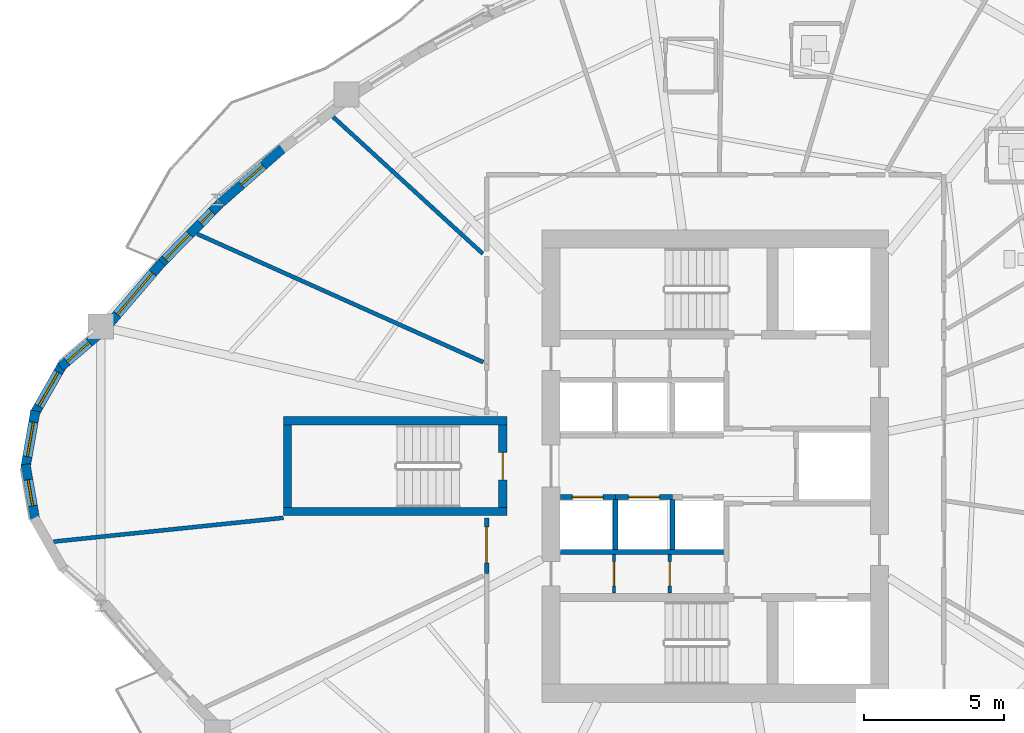
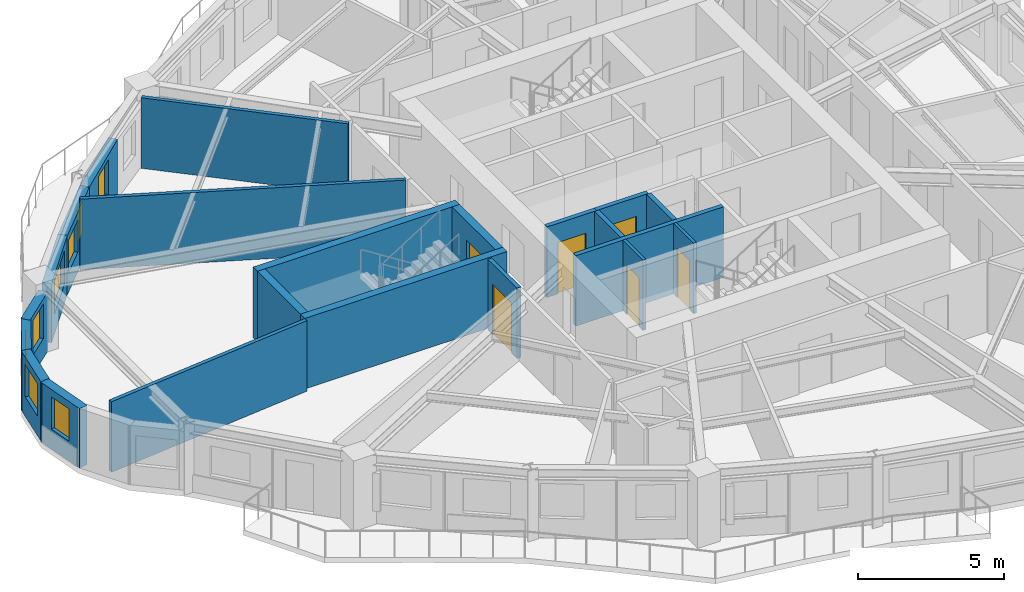
# One storey, part 4 of 12: 22 walls, 8 windows, 6 doors, 14 openings.
"""IFC4 building model written with IfcOpenShell, lengths in metres."""

from ifc_helpers import new_model, si_unit, direction, frame, frame_2d, origin, place, context, subcontext, project, spatial, rectangle, extrude, source, transform, mapped, material, layer, layer_set, type_object, element, fill, save


model = new_model("IFC4")

# Units and contexts
model_context = context("Model", 3, precision=1e-05, world=origin(), true_north=direction((0.0, 1.0)))
body_context = subcontext(model_context, "Body", "Model", "MODEL_VIEW")
ifc_project = project(units=[si_unit("LENGTHUNIT", "METRE"), si_unit("AREAUNIT", "SQUARE_METRE"), si_unit("VOLUMEUNIT", "CUBIC_METRE"), si_unit("PLANEANGLEUNIT", "RADIAN"), si_unit("MASSUNIT", "GRAM", prefix="KILO")], contexts=[model_context])

# Site, building, storey
site_placement = place(None, origin())
site = spatial("IfcSite", under=ifc_project, at=site_placement, CompositionType="ELEMENT")
building_placement = place(site_placement, origin())
building = spatial("IfcBuilding", under=site, at=building_placement, Name="Qafzar Sky-Pleat Residences", CompositionType="ELEMENT")
storey_placement = place(building_placement, frame((0.0, 0.0, 92.800048828125)))
storey = spatial("IfcBuildingStorey", under=building, at=storey_placement, Name="L27", CompositionType="ELEMENT", Elevation=92.800048828125)

# Wall, opening, door
ifc_material_1 = material(Name="Acoustic gypsum plasterboard partition", Category="gypsum")
ifc_layer_1 = layer(ifc_material_1, 0.159912109375)
ifc_layer_set_1 = layer_set([ifc_layer_1], Name="Acoustic gypsum plasterboard partition")
wall_type_1 = type_object("IfcWallType", Name="PART-COR-160", PredefinedType="PARTITIONING", material=ifc_layer_set_1)
wall_1_placement = place(storey_placement, frame((22.169921875, 22.1640625, 0.0), z_axis=(0.0, 0.0, 1.0), x_axis=(0.0, 1.0, 0.0)))
wall_1 = element("IfcWall", 1, at=wall_1_placement, inside=storey, type_object=wall_type_1, Name="L27 Partition Wall PART-L27-PW-014", PredefinedType="PARTITIONING", context=body_context, shape_type="SweptSolid", body=[
    extrude(rectangle(XDim=1.98583984375, YDim=0.159912109375, at=frame_2d((0.992919921875, 0.0))), origin(), (0.0, 0.0, 1.0), 2.949951171875),
])
opening_1_placement = place(wall_1_placement, frame((0.364990234375, 0.0, 0.0)))
opening_1 = element("IfcOpeningElement", 2, at=opening_1_placement, cuts=wall_1, Name="Opening ID-05", PredefinedType="OPENING", context=body_context, shape_type="SweptSolid", body=[
    extrude(rectangle(XDim=1.300048828125, YDim=2.10009765625, at=frame_2d((0.64990234375, 1.050048828125))), frame((0.0, 0.08984375, 0.0), z_axis=(0.0, -1.0, 0.0), x_axis=(1.0, 0.0, 0.0)), (0.0, 0.0, 1.0), 0.179931640625),
])
ifc_material_2 = material(Name="Timber-faced fire door", Category="wood")
door_type_1 = type_object("IfcDoorType", Name="DR-LNG-1300", OperationType="DOUBLE_DOOR_SINGLE_SWING", PredefinedType="DOOR", material=ifc_material_2)
shared_shape_1 = source(origin(), body_context, "Body", "SweptSolid", [
    extrude(rectangle(XDim=1.300048828125, YDim=2.10009765625, at=frame_2d((0.64990234375, 1.050048828125))), frame((0.0, 0.02490234375, 0.0), z_axis=(0.0, -1.0, 0.0), x_axis=(1.0, 0.0, 0.0)), (0.0, 0.0, 1.0), 0.050048828125),
])
door_1_placement = place(opening_1_placement, origin())
door_1 = element("IfcDoor", 3, at=door_1_placement, inside=storey, type_object=door_type_1, Name="L27 Research Conference Room Door", OperationType="DOUBLE_DOOR_SINGLE_SWING", OverallHeight=2.10009765625, OverallWidth=1.300048828125, PredefinedType="DOOR", context=body_context, shape_type="MappedRepresentation", body=[
    mapped(shared_shape_1, transform((0.0, 0.0, 0.0), x_axis=(1.0, 0.0, 0.0), y_axis=(0.0, 1.0, 0.0), z_axis=(0.0, 0.0, 1.0), scale=1.0)),
])
fill(opening_1, door_1)

# Wall
ifc_material_3 = material(Name="Concrete blockwork partition", Category="masonry")
ifc_layer_2 = layer(ifc_material_3, 0.179931640625)
ifc_layer_set_2 = layer_set([ifc_layer_2], Name="Concrete blockwork partition")
wall_type_2 = type_object("IfcWallType", Name="PART-SHAFT-180", PredefinedType="PARTITIONING", material=ifc_layer_set_2)
wall_2_placement = place(storey_placement, frame((24.81005859375, 22.919921875, 0.0), z_axis=(0.0, 0.0, 1.0), x_axis=(1.0, 0.0, 0.0)))
element("IfcWall", 4, at=wall_2_placement, inside=storey, type_object=wall_type_2, Name="L27 Partition Wall PART-L27-P13-S", PredefinedType="PARTITIONING", context=body_context, shape_type="SweptSolid", body=[
    extrude(rectangle(XDim=5.83984375, YDim=0.179931640625, at=frame_2d((2.919921875, 0.0))), origin(), (0.0, 0.0, 1.0), 2.949951171875),
])

# Wall, opening, door
wall_3_placement = place(storey_placement, frame((24.81005859375, 24.89990234375, 0.0), z_axis=(0.0, 0.0, 1.0), x_axis=(1.0, 0.0, 0.0)))
wall_3 = element("IfcWall", 5, at=wall_3_placement, inside=storey, type_object=wall_type_2, Name="L27 Partition Wall PART-L27-P1-N", PredefinedType="PARTITIONING", context=body_context, shape_type="SweptSolid", body=[
    extrude(rectangle(XDim=1.96484375, YDim=0.179931640625, at=frame_2d((0.982421875, 0.0))), origin(), (0.0, 0.0, 1.0), 2.949951171875),
])
opening_2_placement = place(wall_3_placement, frame((0.4326171875, 0.0, 0.0)))
opening_2 = element("IfcOpeningElement", 6, at=opening_2_placement, cuts=wall_3, Name="Opening LD-01", PredefinedType="OPENING", context=body_context, shape_type="SweptSolid", body=[
    extrude(rectangle(XDim=1.10009765625, YDim=2.14990234375, at=frame_2d((0.550048828125, 1.074951171875))), frame((0.0, 0.10009765625, 0.0), z_axis=(0.0, -1.0, 0.0), x_axis=(1.0, 0.0, 0.0)), (0.0, 0.0, 1.0), 0.199951171875),
])
ifc_material_4 = material(Name="Stainless steel sliding landing door", Category="steel")
door_type_2 = type_object("IfcDoorType", Name="DR-LIFT-P", OperationType="DOUBLE_DOOR_SLIDING", PredefinedType="DOOR", material=ifc_material_4)
shared_shape_2 = source(origin(), body_context, "Body", "SweptSolid", [
    extrude(rectangle(XDim=1.10009765625, YDim=2.14990234375, at=frame_2d((0.550048828125, 1.074951171875))), frame((0.0, 0.02490234375, 0.0), z_axis=(0.0, -1.0, 0.0), x_axis=(1.0, 0.0, 0.0)), (0.0, 0.0, 1.0), 0.050048828125),
])
door_2_placement = place(opening_2_placement, origin())
door_2 = element("IfcDoor", 7, at=door_2_placement, inside=storey, type_object=door_type_2, Name="L27 Passenger Lift P1 Landing Door", OperationType="DOUBLE_DOOR_SLIDING", OverallHeight=2.14990234375, OverallWidth=1.10009765625, PredefinedType="DOOR", context=body_context, shape_type="MappedRepresentation", body=[
    mapped(shared_shape_2, transform((0.0, 0.0, 0.0), x_axis=(1.0, 0.0, 0.0), y_axis=(0.0, 1.0, 0.0), z_axis=(0.0, 0.0, 1.0), scale=1.0)),
])
fill(opening_2, door_2)

wall_4_placement = place(storey_placement, frame((26.77490234375, 24.89990234375, 0.0), z_axis=(0.0, 0.0, 1.0), x_axis=(1.0, 0.0, 0.0)))
wall_4 = element("IfcWall", 8, at=wall_4_placement, inside=storey, type_object=wall_type_2, Name="L27 Partition Wall PART-L27-P2-N", PredefinedType="PARTITIONING", context=body_context, shape_type="SweptSolid", body=[
    extrude(rectangle(XDim=2.050048828125, YDim=0.179931640625, at=frame_2d((1.02490234375, 0.0))), origin(), (0.0, 0.0, 1.0), 2.949951171875),
])
opening_3_placement = place(wall_4_placement, frame((0.47509765625, 0.0, 0.0)))
opening_3 = element("IfcOpeningElement", 9, at=opening_3_placement, cuts=wall_4, Name="Opening LD-01", PredefinedType="OPENING", context=body_context, shape_type="SweptSolid", body=[
    extrude(rectangle(XDim=1.10009765625, YDim=2.14990234375, at=frame_2d((0.550048828125, 1.074951171875))), frame((0.0, 0.10009765625, 0.0), z_axis=(0.0, -1.0, 0.0), x_axis=(1.0, 0.0, 0.0)), (0.0, 0.0, 1.0), 0.199951171875),
])
door_3_placement = place(opening_3_placement, origin())
door_3 = element("IfcDoor", 10, at=door_3_placement, inside=storey, type_object=door_type_2, Name="L27 Passenger Lift P2 Landing Door", OperationType="DOUBLE_DOOR_SLIDING", OverallHeight=2.14990234375, OverallWidth=1.10009765625, PredefinedType="DOOR", context=body_context, shape_type="MappedRepresentation", body=[
    mapped(shared_shape_2, transform((0.0, 0.0, 0.0), x_axis=(1.0, 0.0, 0.0), y_axis=(0.0, 1.0, 0.0), z_axis=(0.0, 0.0, 1.0), scale=1.0)),
])
fill(opening_3, door_3)

# Walls
for number, where, z_axis, x_axis, name in (
    (11, (26.77490234375, 23.02001953125, 0.0), (0.0, 0.0, 1.0), (0.0, 1.0, 0.0), "L27 Partition Wall PART-L27-P13-DIV-1"),
    (12, (28.824951171875, 23.02001953125, 0.0), (0.0, 0.0, 1.0), (0.0, 1.0, 0.0), "L27 Partition Wall PART-L27-P13-DIV-2"),
):
    element("IfcWall", number, at=place(storey_placement, frame(where, z_axis=z_axis, x_axis=x_axis)), inside=storey, type_object=wall_type_2, Name=name, PredefinedType="PARTITIONING", context=body_context, shape_type="SweptSolid", body=[
        extrude(rectangle(XDim=1.780029296875, YDim=0.179931640625, at=frame_2d((0.89013671875, 0.0))), origin(), (0.0, 0.0, 1.0), 2.949951171875),
    ])

# Wall, opening, door
ifc_material_5 = material(Name="Gypsum plasterboard partition", Category="gypsum")
ifc_layer_3 = layer(ifc_material_5, 0.114990234375)
ifc_layer_set_3 = layer_set([ifc_layer_3], Name="Gypsum plasterboard partition")
wall_type_3 = type_object("IfcWallType", Name="PART-SVC-115", PredefinedType="PARTITIONING", material=ifc_layer_set_3)
wall_5_placement = place(storey_placement, frame((26.72509765625, 21.4599609375, 0.0), z_axis=(0.0, 0.0, 1.0), x_axis=(0.0, 1.0, 0.0)))
wall_5 = element("IfcWall", 13, at=wall_5_placement, inside=storey, type_object=wall_type_3, Name="L27 Partition Wall PART-L27-KC-SW-1", PredefinedType="PARTITIONING", context=body_context, shape_type="SweptSolid", body=[
    extrude(rectangle(XDim=1.380126953125, YDim=0.114990234375, at=frame_2d((0.68994140625, 0.0))), origin(), (0.0, 0.0, 1.0), 2.949951171875),
])
opening_4_placement = place(wall_5_placement, frame((0.260009765625, 0.0, 0.0)))
opening_4 = element("IfcOpeningElement", 14, at=opening_4_placement, cuts=wall_5, Name="Opening ID-09", PredefinedType="OPENING", context=body_context, shape_type="SweptSolid", body=[
    extrude(rectangle(XDim=0.860107421875, YDim=2.050048828125, at=frame_2d((0.43017578125, 1.02490234375))), frame((0.0, 0.0673828125, 0.0), z_axis=(0.0, -1.0, 0.0), x_axis=(1.0, 0.0, 0.0)), (0.0, 0.0, 1.0), 0.135009765625),
])
door_type_3 = type_object("IfcDoorType", Name="DR-SVC-860", OperationType="NOTDEFINED", PredefinedType="DOOR", material=ifc_material_2)
shared_shape_3 = source(origin(), body_context, "Body", "SweptSolid", [
    extrude(rectangle(XDim=0.860107421875, YDim=2.050048828125, at=frame_2d((0.43017578125, 1.02490234375))), frame((0.0, 0.02490234375, 0.0), z_axis=(0.0, -1.0, 0.0), x_axis=(1.0, 0.0, 0.0)), (0.0, 0.0, 1.0), 0.050048828125),
])
door_4_placement = place(opening_4_placement, origin())
door_4 = element("IfcDoor", 15, at=door_4_placement, inside=storey, type_object=door_type_3, Name="L27 Core South Cupboard 1 Door", OperationType="SINGLE_SWING_RIGHT", OverallHeight=2.050048828125, OverallWidth=0.860107421875, PredefinedType="DOOR", context=body_context, shape_type="MappedRepresentation", body=[
    mapped(shared_shape_3, transform((0.0, 0.0, 0.0), x_axis=(1.0, 0.0, 0.0), y_axis=(0.0, 1.0, 0.0), z_axis=(0.0, 0.0, 1.0), scale=1.0)),
])
fill(opening_4, door_4)

wall_6_placement = place(storey_placement, frame((28.72509765625, 21.4599609375, 0.0), z_axis=(0.0, 0.0, 1.0), x_axis=(0.0, 1.0, 0.0)))
wall_6 = element("IfcWall", 16, at=wall_6_placement, inside=storey, type_object=wall_type_3, Name="L27 Partition Wall PART-L27-KC-SW-2", PredefinedType="PARTITIONING", context=body_context, shape_type="SweptSolid", body=[
    extrude(rectangle(XDim=1.380126953125, YDim=0.114990234375, at=frame_2d((0.68994140625, 0.0))), origin(), (0.0, 0.0, 1.0), 2.949951171875),
])
opening_5_placement = place(wall_6_placement, frame((0.260009765625, 0.0, 0.0)))
opening_5 = element("IfcOpeningElement", 17, at=opening_5_placement, cuts=wall_6, Name="Opening ID-09", PredefinedType="OPENING", context=body_context, shape_type="SweptSolid", body=[
    extrude(rectangle(XDim=0.860107421875, YDim=2.050048828125, at=frame_2d((0.43017578125, 1.02490234375))), frame((0.0, 0.0673828125, 0.0), z_axis=(0.0, -1.0, 0.0), x_axis=(1.0, 0.0, 0.0)), (0.0, 0.0, 1.0), 0.135009765625),
])
door_5_placement = place(opening_5_placement, origin())
door_5 = element("IfcDoor", 18, at=door_5_placement, inside=storey, type_object=door_type_3, Name="L27 Core South Cupboard 2 Door", OperationType="SINGLE_SWING_RIGHT", OverallHeight=2.050048828125, OverallWidth=0.860107421875, PredefinedType="DOOR", context=body_context, shape_type="MappedRepresentation", body=[
    mapped(shared_shape_3, transform((0.0, 0.0, 0.0), x_axis=(1.0, 0.0, 0.0), y_axis=(0.0, 1.0, 0.0), z_axis=(0.0, 0.0, 1.0), scale=1.0)),
])
fill(opening_5, door_5)

# Walls
ifc_layer_4 = layer(ifc_material_1, 0.14501953125)
ifc_layer_set_4 = layer_set([ifc_layer_4], Name="Acoustic gypsum plasterboard partition")
wall_type_4 = type_object("IfcWallType", Name="PART-UNIT-145", PredefinedType="PARTITIONING", material=ifc_layer_set_4)
wall_7_placement = place(storey_placement, frame((11.816650390625, 34.306640625, 0.0), z_axis=(0.0, 0.0, 1.0), x_axis=(0.912528092457, -0.409014034572, 0.0)))
element("IfcWall", 19, at=wall_7_placement, inside=storey, type_object=wall_type_4, Name="L27 Partition Wall PART-L27-PW-022", PredefinedType="PARTITIONING", context=body_context, shape_type="SweptSolid", body=[
    extrude(rectangle(XDim=11.217529296875, YDim=0.14501953125, at=frame_2d((5.60888671875, 0.0))), origin(), (0.0, 0.0, 1.0), 2.949951171875),
])
wall_8_placement = place(storey_placement, frame((6.677978515625, 23.298583984375, 0.0), z_axis=(0.0, 0.0, 1.0), x_axis=(0.994682199009, 0.102991858774, 0.0)))
element("IfcWall", 20, at=wall_8_placement, inside=storey, type_object=wall_type_4, Name="L27 Partition Wall PART-L27-PW-028", PredefinedType="PARTITIONING", context=body_context, shape_type="SweptSolid", body=[
    extrude(rectangle(XDim=8.265869140625, YDim=0.14501953125, at=frame_2d((4.1328125, 0.0))), origin(), (0.0, 0.0, 1.0), 2.949951171875),
])
wall_9_placement = place(storey_placement, frame((16.68310546875, 38.49072265625, 0.0), z_axis=(0.0, 0.0, 1.0), x_axis=(0.738145700324, -0.674641330704, 0.0)))
element("IfcWall", 21, at=wall_9_placement, inside=storey, type_object=wall_type_4, Name="L27 Partition Wall PART-L27-PW-029", PredefinedType="PARTITIONING", context=body_context, shape_type="SweptSolid", body=[
    extrude(rectangle(XDim=7.250732421875, YDim=0.14501953125, at=frame_2d((3.62548828125, 0.0))), origin(), (0.0, 0.0, 1.0), 2.949951171875),
])

# Wall, opening, window
ifc_material_6 = material(Name="Precast concrete C40/50 with honed Riyadh limestone", Category="concrete")
ifc_layer_5 = layer(ifc_material_6, 0.340087890625)
ifc_layer_set_5 = layer_set([ifc_layer_5], Name="Precast concrete C40/50 with honed Riyadh limestone")
wall_type_5 = type_object("IfcWallType", Name="WALL-EXT-340", PredefinedType="SOLIDWALL", material=ifc_layer_set_5)
wall_10_placement = place(storey_placement, frame((8.30029296875, 30.7177734375, 0.0), z_axis=(0.0, 0.0, 1.0), x_axis=(-0.761191299493, -0.648527413126, 0.0)))
wall_10 = element("IfcWall", 22, at=wall_10_placement, inside=storey, type_object=wall_type_5, Name="L27 Limestone Facade Wall 1", PredefinedType="SOLIDWALL", context=body_context, shape_type="SweptSolid", body=[
    extrude(rectangle(XDim=1.80517578125, YDim=0.340087890625, at=frame_2d((0.902587890625, 0.0))), origin(), (0.0, 0.0, 1.0), 2.47998046875),
])
opening_6_placement = place(wall_10_placement, frame((0.452392578125, 0.0, 0.820068359375)))
opening_6 = element("IfcOpeningElement", 23, at=opening_6_placement, cuts=wall_10, Name="Opening WN-06", PredefinedType="OPENING", context=body_context, shape_type="SweptSolid", body=[
    extrude(rectangle(XDim=1.050048828125, YDim=1.449951171875, at=frame_2d((0.52490234375, 0.72509765625))), frame((0.0, 0.18017578125, 0.0), z_axis=(0.0, -1.0, 0.0), x_axis=(1.0, 0.0, 0.0)), (0.0, 0.0, 1.0), 0.360107421875),
])
ifc_material_7 = material(Name="Solar-control low-E glass in bronze aluminium frame", Category="glass")
window_type_1 = type_object("IfcWindowType", Name="WIN-06", PartitioningType="SINGLE_PANEL", PredefinedType="WINDOW", material=ifc_material_7)
shared_shape_4 = source(origin(), body_context, "Body", "SweptSolid", [
    extrude(rectangle(XDim=1.050048828125, YDim=1.449951171875, at=frame_2d((0.52490234375, 0.72509765625))), frame((0.0, 0.030029296875, 0.0), z_axis=(0.0, -1.0, 0.0), x_axis=(1.0, 0.0, 0.0)), (0.0, 0.0, 1.0), 0.06005859375),
])
window_1_placement = place(opening_6_placement, origin())
window_1 = element("IfcWindow", 24, at=window_1_placement, inside=storey, type_object=window_type_1, Name="L27 Punched Facade Window 01", OverallHeight=1.449951171875, OverallWidth=1.050048828125, PartitioningType="SINGLE_PANEL", PredefinedType="WINDOW", context=body_context, shape_type="MappedRepresentation", body=[
    mapped(shared_shape_4, transform((0.0, 0.0, 0.0), x_axis=(1.0, 0.0, 0.0), y_axis=(0.0, 1.0, 0.0), z_axis=(0.0, 0.0, 1.0), scale=1.0)),
])
fill(opening_6, window_1)

wall_11_placement = place(storey_placement, frame((7.011474609375, 29.64990234375, 0.0), z_axis=(0.0, 0.0, 1.0), x_axis=(-0.496037473582, -0.868301114132, 0.0)))
wall_11 = element("IfcWall", 25, at=wall_11_placement, inside=storey, type_object=wall_type_5, Name="L27 Limestone Facade Wall 2", PredefinedType="SOLIDWALL", context=body_context, shape_type="SweptSolid", body=[
    extrude(rectangle(XDim=2.072998046875, YDim=0.340087890625, at=frame_2d((1.03662109375, 0.0))), origin(), (0.0, 0.0, 1.0), 2.47998046875),
])
opening_7_placement = place(wall_11_placement, frame((0.33642578125, 0.0, 0.820068359375)))
opening_7 = element("IfcOpeningElement", 26, at=opening_7_placement, cuts=wall_11, Name="Opening WN-10", PredefinedType="OPENING", context=body_context, shape_type="SweptSolid", body=[
    extrude(rectangle(XDim=1.39990234375, YDim=1.35009765625, at=frame_2d((0.699951171875, 0.675048828125))), frame((0.0, 0.18017578125, 0.0), z_axis=(0.0, -1.0, 0.0), x_axis=(1.0, 0.0, 0.0)), (0.0, 0.0, 1.0), 0.360107421875),
])
window_type_2 = type_object("IfcWindowType", Name="WIN-10", PartitioningType="SINGLE_PANEL", PredefinedType="WINDOW", material=ifc_material_7)
shared_shape_5 = source(origin(), body_context, "Body", "SweptSolid", [
    extrude(rectangle(XDim=1.39990234375, YDim=1.35009765625, at=frame_2d((0.699951171875, 0.675048828125))), frame((0.0, 0.030029296875, 0.0), z_axis=(0.0, -1.0, 0.0), x_axis=(1.0, 0.0, 0.0)), (0.0, 0.0, 1.0), 0.06005859375),
])
window_2_placement = place(opening_7_placement, origin())
window_2 = element("IfcWindow", 27, at=window_2_placement, inside=storey, type_object=window_type_2, Name="L27 Punched Facade Window 02", OverallHeight=1.35009765625, OverallWidth=1.39990234375, PartitioningType="SINGLE_PANEL", PredefinedType="WINDOW", context=body_context, shape_type="MappedRepresentation", body=[
    mapped(shared_shape_5, transform((0.0, 0.0, 0.0), x_axis=(1.0, 0.0, 0.0), y_axis=(0.0, 1.0, 0.0), z_axis=(0.0, 0.0, 1.0), scale=1.0)),
])
fill(opening_7, window_2)

wall_12_placement = place(storey_placement, frame((6.0283203125, 27.975341796875, 0.0), z_axis=(0.0, 0.0, 1.0), x_axis=(-0.172186061474, -0.985064444711, 0.0)))
wall_12 = element("IfcWall", 28, at=wall_12_placement, inside=storey, type_object=wall_type_5, Name="L27 Limestone Facade Wall 3", PredefinedType="SOLIDWALL", context=body_context, shape_type="SweptSolid", body=[
    extrude(rectangle(XDim=2.072998046875, YDim=0.340087890625, at=frame_2d((1.03662109375, 0.0))), origin(), (0.0, 0.0, 1.0), 2.47998046875),
])
opening_8_placement = place(wall_12_placement, frame((0.41162109375, 0.0, 0.820068359375)))
opening_8 = element("IfcOpeningElement", 29, at=opening_8_placement, cuts=wall_12, Name="Opening WN-11", PredefinedType="OPENING", context=body_context, shape_type="SweptSolid", body=[
    extrude(rectangle(XDim=1.25, YDim=1.35009765625, at=frame_2d((0.625, 0.675048828125))), frame((0.0, 0.18017578125, 0.0), z_axis=(0.0, -1.0, 0.0), x_axis=(1.0, 0.0, 0.0)), (0.0, 0.0, 1.0), 0.360107421875),
])
window_type_3 = type_object("IfcWindowType", Name="WIN-11", PartitioningType="SINGLE_PANEL", PredefinedType="WINDOW", material=ifc_material_7)
shared_shape_6 = source(origin(), body_context, "Body", "SweptSolid", [
    extrude(rectangle(XDim=1.25, YDim=1.35009765625, at=frame_2d((0.625, 0.675048828125))), frame((0.0, 0.030029296875, 0.0), z_axis=(0.0, -1.0, 0.0), x_axis=(1.0, 0.0, 0.0)), (0.0, 0.0, 1.0), 0.06005859375),
])
window_3_placement = place(opening_8_placement, origin())
window_3 = element("IfcWindow", 30, at=window_3_placement, inside=storey, type_object=window_type_3, Name="L27 Punched Facade Window 03", OverallHeight=1.35009765625, OverallWidth=1.25, PartitioningType="SINGLE_PANEL", PredefinedType="WINDOW", context=body_context, shape_type="MappedRepresentation", body=[
    mapped(shared_shape_6, transform((0.0, 0.0, 0.0), x_axis=(1.0, 0.0, 0.0), y_axis=(0.0, 1.0, 0.0), z_axis=(0.0, 0.0, 1.0), scale=1.0)),
])
fill(opening_8, window_3)

wall_13_placement = place(storey_placement, frame((5.67138671875, 26.066650390625, 0.0), z_axis=(0.0, 0.0, 1.0), x_axis=(0.172186061474, -0.985064444711, 0.0)))
wall_13 = element("IfcWall", 31, at=wall_13_placement, inside=storey, type_object=wall_type_5, Name="L27 Limestone Facade Wall 4", PredefinedType="SOLIDWALL", context=body_context, shape_type="SweptSolid", body=[
    extrude(rectangle(XDim=2.072998046875, YDim=0.340087890625, at=frame_2d((1.03662109375, 0.0))), origin(), (0.0, 0.0, 1.0), 2.47998046875),
])
opening_9_placement = place(wall_13_placement, frame((0.5615234375, 0.0, 0.820068359375)))
opening_9 = element("IfcOpeningElement", 32, at=opening_9_placement, cuts=wall_13, Name="Opening WN-12", PredefinedType="OPENING", context=body_context, shape_type="SweptSolid", body=[
    extrude(rectangle(XDim=0.949951171875, YDim=1.35009765625, at=frame_2d((0.47509765625, 0.675048828125))), frame((0.0, 0.18017578125, 0.0), z_axis=(0.0, -1.0, 0.0), x_axis=(1.0, 0.0, 0.0)), (0.0, 0.0, 1.0), 0.360107421875),
])
window_type_4 = type_object("IfcWindowType", Name="WIN-12", PartitioningType="SINGLE_PANEL", PredefinedType="WINDOW", material=ifc_material_7)
shared_shape_7 = source(origin(), body_context, "Body", "SweptSolid", [
    extrude(rectangle(XDim=0.949951171875, YDim=1.35009765625, at=frame_2d((0.47509765625, 0.675048828125))), frame((0.0, 0.030029296875, 0.0), z_axis=(0.0, -1.0, 0.0), x_axis=(1.0, 0.0, 0.0)), (0.0, 0.0, 1.0), 0.06005859375),
])
window_4_placement = place(opening_9_placement, origin())
window_4 = element("IfcWindow", 33, at=window_4_placement, inside=storey, type_object=window_type_4, Name="L27 Punched Facade Window 04", OverallHeight=1.35009765625, OverallWidth=0.949951171875, PartitioningType="SINGLE_PANEL", PredefinedType="WINDOW", context=body_context, shape_type="MappedRepresentation", body=[
    mapped(shared_shape_7, transform((0.0, 0.0, 0.0), x_axis=(1.0, 0.0, 0.0), y_axis=(0.0, 1.0, 0.0), z_axis=(0.0, 0.0, 1.0), scale=1.0)),
])
fill(opening_9, window_4)

wall_14_placement = place(storey_placement, frame((14.92919921875, 37.41162109375, 0.0), z_axis=(0.0, 0.0, 1.0), x_axis=(-0.751438268977, -0.659803400959, 0.0)))
wall_14 = element("IfcWall", 34, at=wall_14_placement, inside=storey, type_object=wall_type_5, Name="L27 Limestone Facade Wall 46", PredefinedType="SOLIDWALL", context=body_context, shape_type="SweptSolid", body=[
    extrude(rectangle(XDim=3.0185546875, YDim=0.340087890625, at=frame_2d((1.50927734375, 0.0))), origin(), (0.0, 0.0, 1.0), 2.47998046875),
])
opening_10_placement = place(wall_14_placement, frame((0.994384765625, 0.0, 0.820068359375)))
opening_10 = element("IfcOpeningElement", 35, at=opening_10_placement, cuts=wall_14, Name="Opening WN-06", PredefinedType="OPENING", context=body_context, shape_type="SweptSolid", body=[
    extrude(rectangle(XDim=1.050048828125, YDim=1.449951171875, at=frame_2d((0.52490234375, 0.72509765625))), frame((0.0, 0.18017578125, 0.0), z_axis=(0.0, -1.0, 0.0), x_axis=(1.0, 0.0, 0.0)), (0.0, 0.0, 1.0), 0.360107421875),
])
window_5_placement = place(opening_10_placement, origin())
window_5 = element("IfcWindow", 36, at=window_5_placement, inside=storey, type_object=window_type_1, Name="L27 Punched Facade Window 46", OverallHeight=1.449951171875, OverallWidth=1.050048828125, PartitioningType="SINGLE_PANEL", PredefinedType="WINDOW", context=body_context, shape_type="MappedRepresentation", body=[
    mapped(shared_shape_4, transform((0.0, 0.0, 0.0), x_axis=(1.0, 0.0, 0.0), y_axis=(0.0, 1.0, 0.0), z_axis=(0.0, 0.0, 1.0), scale=1.0)),
])
fill(opening_10, window_5)

# Wall, openings, windows
wall_15_placement = place(storey_placement, frame((12.640625, 35.40087890625, 0.0), z_axis=(0.0, 0.0, 1.0), x_axis=(-0.701955968499, -0.712220343917, 0.0)))
wall_15 = element("IfcWall", 37, at=wall_15_placement, inside=storey, type_object=wall_type_5, Name="L27 Limestone Facade Wall 47", PredefinedType="SOLIDWALL", context=body_context, shape_type="SweptSolid", body=[
    extrude(rectangle(XDim=3.068359375, YDim=0.340087890625, at=frame_2d((1.5341796875, 0.0))), origin(), (0.0, 0.0, 1.0), 2.47998046875),
])
opening_11_placement = place(wall_15_placement, frame((0.422607421875, 0.0, 0.820068359375)))
opening_11 = element("IfcOpeningElement", 38, at=opening_11_placement, cuts=wall_15, Name="Opening WN-17", PredefinedType="OPENING", context=body_context, shape_type="SweptSolid", body=[
    extrude(rectangle(XDim=0.580078125, YDim=1.35009765625, at=frame_2d((0.2900390625, 0.675048828125))), frame((0.0, 0.18017578125, 0.0), z_axis=(0.0, -1.0, 0.0), x_axis=(1.0, 0.0, 0.0)), (0.0, 0.0, 1.0), 0.360107421875),
])
opening_12_placement = place(wall_15_placement, frame((1.552001953125, 0.0, 0.820068359375)))
opening_12 = element("IfcOpeningElement", 39, at=opening_12_placement, cuts=wall_15, Name="Opening WN-11", PredefinedType="OPENING", context=body_context, shape_type="SweptSolid", body=[
    extrude(rectangle(XDim=1.25, YDim=1.35009765625, at=frame_2d((0.625, 0.675048828125))), frame((0.0, 0.18017578125, 0.0), z_axis=(0.0, -1.0, 0.0), x_axis=(1.0, 0.0, 0.0)), (0.0, 0.0, 1.0), 0.360107421875),
])
window_type_5 = type_object("IfcWindowType", Name="WIN-17", PartitioningType="SINGLE_PANEL", PredefinedType="WINDOW", material=ifc_material_7)
shared_shape_8 = source(origin(), body_context, "Body", "SweptSolid", [
    extrude(rectangle(XDim=0.580078125, YDim=1.35009765625, at=frame_2d((0.2900390625, 0.675048828125))), frame((0.0, 0.030029296875, 0.0), z_axis=(0.0, -1.0, 0.0), x_axis=(1.0, 0.0, 0.0)), (0.0, 0.0, 1.0), 0.06005859375),
])
window_6_placement = place(opening_11_placement, origin())
window_6 = element("IfcWindow", 40, at=window_6_placement, inside=storey, type_object=window_type_5, Name="L27 Punched Facade Window 47", OverallHeight=1.35009765625, OverallWidth=0.580078125, PartitioningType="SINGLE_PANEL", PredefinedType="WINDOW", context=body_context, shape_type="MappedRepresentation", body=[
    mapped(shared_shape_8, transform((0.0, 0.0, 0.0), x_axis=(1.0, 0.0, 0.0), y_axis=(0.0, 1.0, 0.0), z_axis=(0.0, 0.0, 1.0), scale=1.0)),
])
fill(opening_11, window_6)
window_7_placement = place(opening_12_placement, origin())
window_7 = element("IfcWindow", 41, at=window_7_placement, inside=storey, type_object=window_type_3, Name="L27 Punched Facade Window 47-2", OverallHeight=1.35009765625, OverallWidth=1.25, PartitioningType="SINGLE_PANEL", PredefinedType="WINDOW", context=body_context, shape_type="MappedRepresentation", body=[
    mapped(shared_shape_6, transform((0.0, 0.0, 0.0), x_axis=(1.0, 0.0, 0.0), y_axis=(0.0, 1.0, 0.0), z_axis=(0.0, 0.0, 1.0), scale=1.0)),
])
fill(opening_12, window_7)

# Wall, opening, window
wall_16_placement = place(storey_placement, frame((10.546142578125, 33.2802734375, 0.0), z_axis=(0.0, 0.0, 1.0), x_axis=(-0.6506950883, -0.759339121909, 0.0)))
wall_16 = element("IfcWall", 42, at=wall_16_placement, inside=storey, type_object=wall_type_5, Name="L27 Limestone Facade Wall 48", PredefinedType="SOLIDWALL", context=body_context, shape_type="SweptSolid", body=[
    extrude(rectangle(XDim=2.923583984375, YDim=0.340087890625, at=frame_2d((1.4619140625, 0.0))), origin(), (0.0, 0.0, 1.0), 2.47998046875),
])
opening_13_placement = place(wall_16_placement, frame((0.49169921875, 0.0, 0.820068359375)))
opening_13 = element("IfcOpeningElement", 43, at=opening_13_placement, cuts=wall_16, Name="Opening WN-08", PredefinedType="OPENING", context=body_context, shape_type="SweptSolid", body=[
    extrude(rectangle(XDim=1.949951171875, YDim=1.39990234375, at=frame_2d((0.97509765625, 0.699951171875))), frame((0.0, 0.18017578125, 0.0), z_axis=(0.0, -1.0, 0.0), x_axis=(1.0, 0.0, 0.0)), (0.0, 0.0, 1.0), 0.360107421875),
])
window_type_6 = type_object("IfcWindowType", Name="WIN-08", PartitioningType="DOUBLE_PANEL_VERTICAL", PredefinedType="WINDOW", material=ifc_material_7)
shared_shape_9 = source(origin(), body_context, "Body", "SweptSolid", [
    extrude(rectangle(XDim=1.949951171875, YDim=1.39990234375, at=frame_2d((0.97509765625, 0.699951171875))), frame((0.0, 0.030029296875, 0.0), z_axis=(0.0, -1.0, 0.0), x_axis=(1.0, 0.0, 0.0)), (0.0, 0.0, 1.0), 0.06005859375),
])
window_8_placement = place(opening_13_placement, origin())
window_8 = element("IfcWindow", 44, at=window_8_placement, inside=storey, type_object=window_type_6, Name="L27 Punched Facade Window 48", OverallHeight=1.39990234375, OverallWidth=1.949951171875, PartitioningType="SINGLE_PANEL", PredefinedType="WINDOW", context=body_context, shape_type="MappedRepresentation", body=[
    mapped(shared_shape_9, transform((0.0, 0.0, 0.0), x_axis=(1.0, 0.0, 0.0), y_axis=(0.0, 1.0, 0.0), z_axis=(0.0, 0.0, 1.0), scale=1.0)),
])
fill(opening_13, window_8)

# Walls
ifc_material_8 = material(Name="Concrete C60/75", Category="concrete")
ifc_layer_6 = layer(ifc_material_8, 0.300048828125)
ifc_layer_set_6 = layer_set([ifc_layer_6], Name="Concrete C60/75")
wall_type_6 = type_object("IfcWallType", Name="WALL-SHEAR-300", PredefinedType="SHEAR", material=ifc_layer_set_6)
for number, where, z_axis, x_axis, name in (
    (45, (14.89990234375, 24.375, 0.0), (0.0, 0.0, 1.0), (1.0, 0.0, 0.0), "L27 ST3 wall S"),
    (46, (22.89990234375, 27.625, 0.0), (0.0, 0.0, 1.0), (-1.0, 0.0, 0.0), "L27 ST3 wall N"),
):
    element("IfcWall", number, at=place(storey_placement, frame(where, z_axis=z_axis, x_axis=x_axis)), inside=storey, type_object=wall_type_6, Name=name, PredefinedType="SHEAR", context=body_context, shape_type="SweptSolid", body=[
        extrude(rectangle(XDim=8.0, YDim=0.300048828125, at=frame_2d((4.0, 0.0))), origin(), (0.0, 0.0, 1.0), 2.949951171875),
    ])
wall_17_placement = place(storey_placement, frame((15.050048828125, 27.47509765625, 0.0), z_axis=(0.0, 0.0, 1.0), x_axis=(0.0, -1.0, 0.0)))
element("IfcWall", 47, at=wall_17_placement, inside=storey, type_object=wall_type_6, Name="L27 ST3 wall W", PredefinedType="SHEAR", context=body_context, shape_type="SweptSolid", body=[
    extrude(rectangle(XDim=2.9501953125, YDim=0.300048828125, at=frame_2d((1.47509765625, 0.0))), origin(), (0.0, 0.0, 1.0), 2.949951171875),
])

# Wall, opening, door
wall_18_placement = place(storey_placement, frame((22.75, 24.52490234375, 0.0), z_axis=(0.0, 0.0, 1.0), x_axis=(0.0, 1.0, 0.0)))
wall_18 = element("IfcWall", 48, at=wall_18_placement, inside=storey, type_object=wall_type_6, Name="L27 ST3 wall E", PredefinedType="SHEAR", context=body_context, shape_type="SweptSolid", body=[
    extrude(rectangle(XDim=2.9501953125, YDim=0.300048828125, at=frame_2d((1.47509765625, 0.0))), origin(), (0.0, 0.0, 1.0), 2.949951171875),
])
opening_14_placement = place(wall_18_placement, frame((0.985107421875, 0.0, 0.0)))
opening_14 = element("IfcOpeningElement", 49, at=opening_14_placement, cuts=wall_18, Name="Opening ID-01", PredefinedType="OPENING", context=body_context, shape_type="SweptSolid", body=[
    extrude(rectangle(XDim=0.97998046875, YDim=2.14990234375, at=frame_2d((0.489990234375, 1.074951171875))), frame((0.0, 0.16015625, 0.0), z_axis=(0.0, -1.0, 0.0), x_axis=(1.0, 0.0, 0.0)), (0.0, 0.0, 1.0), 0.320068359375),
])
door_type_4 = type_object("IfcDoorType", Name="DR-STAIR-980", OperationType="NOTDEFINED", PredefinedType="DOOR", material=ifc_material_2)
shared_shape_10 = source(origin(), body_context, "Body", "SweptSolid", [
    extrude(rectangle(XDim=0.97998046875, YDim=2.14990234375, at=frame_2d((0.489990234375, 1.074951171875))), frame((0.0, 0.02490234375, 0.0), z_axis=(0.0, -1.0, 0.0), x_axis=(1.0, 0.0, 0.0)), (0.0, 0.0, 1.0), 0.050048828125),
])
door_6_placement = place(opening_14_placement, origin())
door_6 = element("IfcDoor", 50, at=door_6_placement, inside=storey, type_object=door_type_4, Name="L27 Stair ST3 Fire Door", OperationType="SINGLE_SWING_LEFT", OverallHeight=2.14990234375, OverallWidth=0.97998046875, PredefinedType="DOOR", context=body_context, shape_type="MappedRepresentation", body=[
    mapped(shared_shape_10, transform((0.0, 0.0, 0.0), x_axis=(1.0, 0.0, 0.0), y_axis=(0.0, 1.0, 0.0), z_axis=(0.0, 0.0, 1.0), scale=1.0)),
])
fill(opening_14, door_6)

save(model, "model.ifc")
